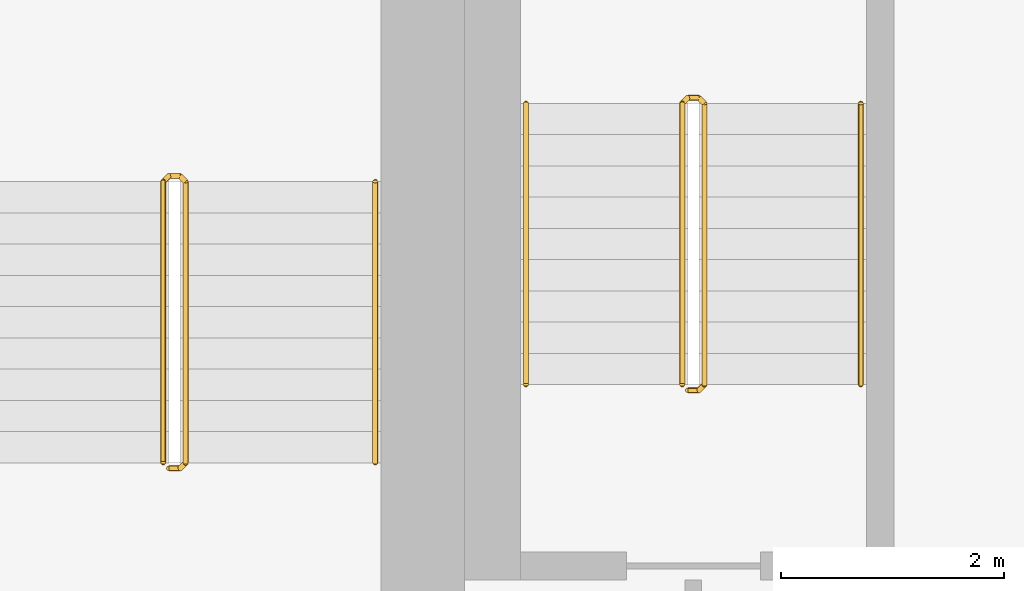
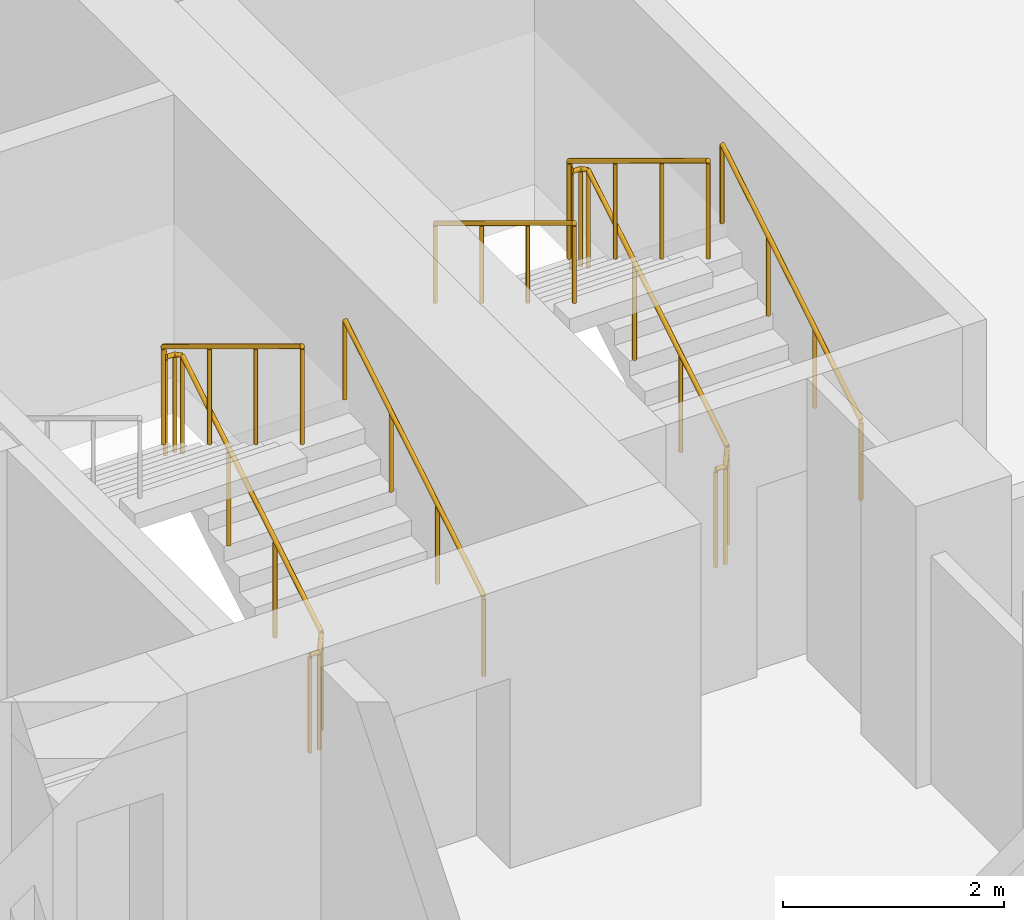
# One storey, part 16 of 16: 5 railings.
"""IFC4 building model written with IfcOpenShell, lengths in metres."""

from ifc_helpers import new_model, si_unit, direction, frame, origin, origin_2d, place, context, subcontext, project, spatial, circle, extrude, material, type_object, element, save


model = new_model("IFC4")

# Units and contexts
model_context = context("Model", 3, precision=1e-05, world=origin(), true_north=direction((0.0, 1.0)))
body_context = subcontext(model_context, "Body", "Model", "MODEL_VIEW")
ifc_project = project(units=[si_unit("LENGTHUNIT", "METRE"), si_unit("AREAUNIT", "SQUARE_METRE"), si_unit("VOLUMEUNIT", "CUBIC_METRE"), si_unit("PLANEANGLEUNIT", "RADIAN"), si_unit("MASSUNIT", "GRAM", prefix="KILO")], contexts=[model_context])

# Site, building, storey
site_placement = place(None, origin())
site = spatial("IfcSite", under=ifc_project, at=site_placement, CompositionType="ELEMENT")
building_placement = place(site_placement, origin())
building = spatial("IfcBuilding", under=site, at=building_placement, Name="Kilnfold Tower and Market Hall", CompositionType="ELEMENT")
storey_placement = place(building_placement, frame((0.0, 0.0, 199.89990234375)))
storey = spatial("IfcBuildingStorey", under=building, at=storey_placement, Name="L48", CompositionType="ELEMENT", Elevation=199.89990234375)

# Railings
ifc_material_1 = material(Name="Stainless steel 316", Category="steel")
railing_type_1 = type_object("IfcRailingType", Name="CORE STAIR GUARD 1100", PredefinedType="GUARDRAIL", material=ifc_material_1)
railing_1_placement = place(storey_placement, frame((15.199951171875, 10.75, 0.0)))
element("IfcRailing", 1, at=railing_1_placement, inside=storey, type_object=railing_type_1, Name="L48 ST2 stair guard 1", PredefinedType="GUARDRAIL", context=body_context, shape_type="SweptSolid", body=[
    extrude(circle(Radius=0.02392578125, at=origin_2d()), frame((0.0, 0.0, 1.076171875), z_axis=(1.0, 0.0, 0.0), x_axis=(0.0, 1.0, 0.0)), (0.0, 0.0, 1.0), 0.10009765625),
    extrude(circle(Radius=0.02392578125, at=origin_2d()), frame((0.10009765625, 0.0, 1.076171875), z_axis=(0.271562723297, 0.271562723297, 0.923313259209), x_axis=(-0.707106781187, 0.707106781187, 0.0)), (0.0, 0.0, 1.0), 0.184326171875),
    extrude(circle(Radius=0.02392578125, at=origin_2d()), frame((0.150146484375, 0.050048828125, 1.24609375), z_axis=(0.0, 0.85478489116, 0.518982456201), x_axis=(-1.0, 0.0, 0.0)), (0.0, 0.0, 1.0), 2.9482421875),
    extrude(circle(Radius=0.02392578125, at=origin_2d()), frame((0.150146484375, 2.570068359375, 2.7763671875), z_axis=(-0.707106781187, 0.707106781187, 0.0), x_axis=(-0.707106781187, -0.707106781187, 0.0)), (0.0, 0.0, 1.0), 0.07080078125),
    extrude(circle(Radius=0.02392578125, at=origin_2d()), frame((0.10009765625, 2.6201171875, 2.7763671875), z_axis=(-1.0, 0.0, 0.0), x_axis=(0.0, -1.0, 0.0)), (0.0, 0.0, 1.0), 0.10009765625),
    extrude(circle(Radius=0.02392578125, at=origin_2d()), frame((0.0, 2.6201171875, 2.7763671875), z_axis=(-0.271895245746, -0.271895245746, 0.923117517265), x_axis=(0.707106781187, -0.707106781187, 0.0)), (0.0, 0.0, 1.0), 0.18408203125),
    extrude(circle(Radius=0.02392578125, at=origin_2d()), frame((-0.050048828125, 2.570068359375, 2.9462890625), z_axis=(0.0, -0.85478489116, 0.518982456201), x_axis=(1.0, 0.0, 0.0)), (0.0, 0.0, 1.0), 2.9482421875),
    extrude(circle(Radius=0.02099609375, at=origin_2d()), origin(), (0.0, 0.0, 1.0), 1.052001953125),
    extrude(circle(Radius=0.02099609375, at=origin_2d()), frame((0.10009765625, 0.0, 0.0)), (0.0, 0.0, 1.0), 1.052001953125),
    extrude(circle(Radius=0.02099609375, at=origin_2d()), frame((0.150146484375, 0.050048828125, 0.170166015625)), (0.0, 0.0, 1.0), 1.052001953125),
    extrude(circle(Radius=0.02099609375, at=origin_2d()), frame((0.150146484375, 0.89013671875, 0.68017578125)), (0.0, 0.0, 1.0), 1.052001953125),
    extrude(circle(Radius=0.02099609375, at=origin_2d()), frame((0.150146484375, 1.72998046875, 1.190185546875)), (0.0, 0.0, 1.0), 1.052001953125),
    extrude(circle(Radius=0.02099609375, at=origin_2d()), frame((0.150146484375, 2.570068359375, 1.7001953125)), (0.0, 0.0, 1.0), 1.052001953125),
    extrude(circle(Radius=0.02099609375, at=origin_2d()), frame((0.10009765625, 2.6201171875, 1.7001953125)), (0.0, 0.0, 1.0), 1.052001953125),
    extrude(circle(Radius=0.02099609375, at=origin_2d()), frame((0.0, 2.6201171875, 1.7001953125)), (0.0, 0.0, 1.0), 1.052001953125),
    extrude(circle(Radius=0.02099609375, at=origin_2d()), frame((-0.050048828125, 2.570068359375, 1.8701171875)), (0.0, 0.0, 1.0), 1.052001953125),
    extrude(circle(Radius=0.02099609375, at=origin_2d()), frame((-0.050048828125, 1.72998046875, 2.380126953125)), (0.0, 0.0, 1.0), 1.052001953125),
    extrude(circle(Radius=0.02099609375, at=origin_2d()), frame((-0.050048828125, 0.89013671875, 2.89013671875)), (0.0, 0.0, 1.0), 1.052001953125),
    extrude(circle(Radius=0.02099609375, at=origin_2d()), frame((-0.050048828125, 0.050048828125, 3.400146484375)), (0.0, 0.0, 1.0), 1.052001953125),
])
railing_2_placement = place(storey_placement, frame((19.85009765625, 11.449951171875, 0.0)))
element("IfcRailing", 2, at=railing_2_placement, inside=storey, type_object=railing_type_1, Name="L48 ST5 stair guard 1", PredefinedType="GUARDRAIL", context=body_context, shape_type="SweptSolid", body=[
    extrude(circle(Radius=0.02392578125, at=origin_2d()), frame((0.0, 0.0, 1.076171875), z_axis=(1.0, 0.0, 0.0), x_axis=(0.0, 1.0, 0.0)), (0.0, 0.0, 1.0), 0.099853515625),
    extrude(circle(Radius=0.02392578125, at=origin_2d()), frame((0.099853515625, 0.0, 1.076171875), z_axis=(0.271562723297, 0.271562723297, 0.923313259209), x_axis=(-0.707106781187, 0.707106781187, 0.0)), (0.0, 0.0, 1.0), 0.184326171875),
    extrude(circle(Radius=0.02392578125, at=origin_2d()), frame((0.14990234375, 0.050048828125, 1.24609375), z_axis=(0.0, 0.85478489116, 0.518982456201), x_axis=(-1.0, 0.0, 0.0)), (0.0, 0.0, 1.0), 2.9482421875),
    extrude(circle(Radius=0.02392578125, at=origin_2d()), frame((0.14990234375, 2.570068359375, 2.7763671875), z_axis=(-0.707106781187, 0.707106781187, 0.0), x_axis=(-0.707106781187, -0.707106781187, 0.0)), (0.0, 0.0, 1.0), 0.07080078125),
    extrude(circle(Radius=0.02392578125, at=origin_2d()), frame((0.099853515625, 2.6201171875, 2.7763671875), z_axis=(-1.0, 0.0, 0.0), x_axis=(0.0, -1.0, 0.0)), (0.0, 0.0, 1.0), 0.099853515625),
    extrude(circle(Radius=0.02392578125, at=origin_2d()), frame((0.0, 2.6201171875, 2.7763671875), z_axis=(-0.271895245746, -0.271895245746, 0.923117517265), x_axis=(0.707106781187, -0.707106781187, 0.0)), (0.0, 0.0, 1.0), 0.18408203125),
    extrude(circle(Radius=0.02392578125, at=origin_2d()), frame((-0.050048828125, 2.570068359375, 2.9462890625), z_axis=(0.0, -0.85478489116, 0.518982456201), x_axis=(1.0, 0.0, 0.0)), (0.0, 0.0, 1.0), 2.9482421875),
    extrude(circle(Radius=0.02099609375, at=origin_2d()), origin(), (0.0, 0.0, 1.0), 1.052001953125),
    extrude(circle(Radius=0.02099609375, at=origin_2d()), frame((0.099853515625, 0.0, 0.0)), (0.0, 0.0, 1.0), 1.052001953125),
    extrude(circle(Radius=0.02099609375, at=origin_2d()), frame((0.14990234375, 0.050048828125, 0.170166015625)), (0.0, 0.0, 1.0), 1.052001953125),
    extrude(circle(Radius=0.02099609375, at=origin_2d()), frame((0.14990234375, 0.89013671875, 0.68017578125)), (0.0, 0.0, 1.0), 1.052001953125),
    extrude(circle(Radius=0.02099609375, at=origin_2d()), frame((0.14990234375, 1.72998046875, 1.190185546875)), (0.0, 0.0, 1.0), 1.052001953125),
    extrude(circle(Radius=0.02099609375, at=origin_2d()), frame((0.14990234375, 2.570068359375, 1.7001953125)), (0.0, 0.0, 1.0), 1.052001953125),
    extrude(circle(Radius=0.02099609375, at=origin_2d()), frame((0.099853515625, 2.6201171875, 1.7001953125)), (0.0, 0.0, 1.0), 1.052001953125),
    extrude(circle(Radius=0.02099609375, at=origin_2d()), frame((0.0, 2.6201171875, 1.7001953125)), (0.0, 0.0, 1.0), 1.052001953125),
    extrude(circle(Radius=0.02099609375, at=origin_2d()), frame((-0.050048828125, 2.570068359375, 1.8701171875)), (0.0, 0.0, 1.0), 1.052001953125),
    extrude(circle(Radius=0.02099609375, at=origin_2d()), frame((-0.050048828125, 1.72998046875, 2.380126953125)), (0.0, 0.0, 1.0), 1.052001953125),
    extrude(circle(Radius=0.02099609375, at=origin_2d()), frame((-0.050048828125, 0.89013671875, 2.89013671875)), (0.0, 0.0, 1.0), 1.052001953125),
    extrude(circle(Radius=0.02099609375, at=origin_2d()), frame((-0.050048828125, 0.050048828125, 3.400146484375)), (0.0, 0.0, 1.0), 1.052001953125),
])
ifc_material_2 = material(Name="Stainless steel 316", Category="steel")
railing_type_2 = type_object("IfcRailingType", Name="CORE STAIR HANDRAIL 900", PredefinedType="HANDRAIL", material=ifc_material_2)
for number, where, name in (
    (3, (17.050048828125, 10.800048828125, 0.170166015625), "L48 ST2 stair handrail 1"),
    (4, (21.39990234375, 11.5, 0.170166015625), "L48 ST5 stair handrail 1"),
):
    element("IfcRailing", number, at=place(storey_placement, frame(where)), inside=storey, type_object=railing_type_2, Name=name, PredefinedType="HANDRAIL", context=body_context, shape_type="SweptSolid", body=[
        extrude(circle(Radius=0.02392578125, at=origin_2d()), frame((0.0, 0.0, 0.8759765625), z_axis=(0.0, 0.85478489116, 0.518982456201), x_axis=(-1.0, 0.0, 0.0)), (0.0, 0.0, 1.0), 2.9482421875),
        extrude(circle(Radius=0.02099609375, at=origin_2d()), origin(), (0.0, 0.0, 1.0), 0.851806640625),
        extrude(circle(Radius=0.02099609375, at=origin_2d()), frame((0.0, 0.840087890625, 0.510009765625)), (0.0, 0.0, 1.0), 0.851806640625),
        extrude(circle(Radius=0.02099609375, at=origin_2d()), frame((0.0, 1.679931640625, 1.02001953125)), (0.0, 0.0, 1.0), 0.851806640625),
        extrude(circle(Radius=0.02099609375, at=origin_2d()), frame((0.0, 2.52001953125, 1.530029296875)), (0.0, 0.0, 1.0), 0.851806640625),
    ])
railing_3_placement = place(storey_placement, frame((18.39990234375, 14.02001953125, 1.8701171875)))
element("IfcRailing", 5, at=railing_3_placement, inside=storey, type_object=railing_type_2, Name="L48 ST5 stair handrail 2", PredefinedType="HANDRAIL", context=body_context, shape_type="SweptSolid", body=[
    extrude(circle(Radius=0.02392578125, at=origin_2d()), frame((0.0, 0.0, 0.8759765625), z_axis=(0.0, -0.85478489116, 0.518982456201), x_axis=(1.0, 0.0, 0.0)), (0.0, 0.0, 1.0), 2.9482421875),
    extrude(circle(Radius=0.02099609375, at=origin_2d()), origin(), (0.0, 0.0, 1.0), 0.851806640625),
    extrude(circle(Radius=0.02099609375, at=origin_2d()), frame((0.0, -0.840087890625, 0.510009765625)), (0.0, 0.0, 1.0), 0.851806640625),
    extrude(circle(Radius=0.02099609375, at=origin_2d()), frame((0.0, -1.679931640625, 1.02001953125)), (0.0, 0.0, 1.0), 0.851806640625),
    extrude(circle(Radius=0.02099609375, at=origin_2d()), frame((0.0, -2.52001953125, 1.530029296875)), (0.0, 0.0, 1.0), 0.851806640625),
])

save(model, "model.ifc")
